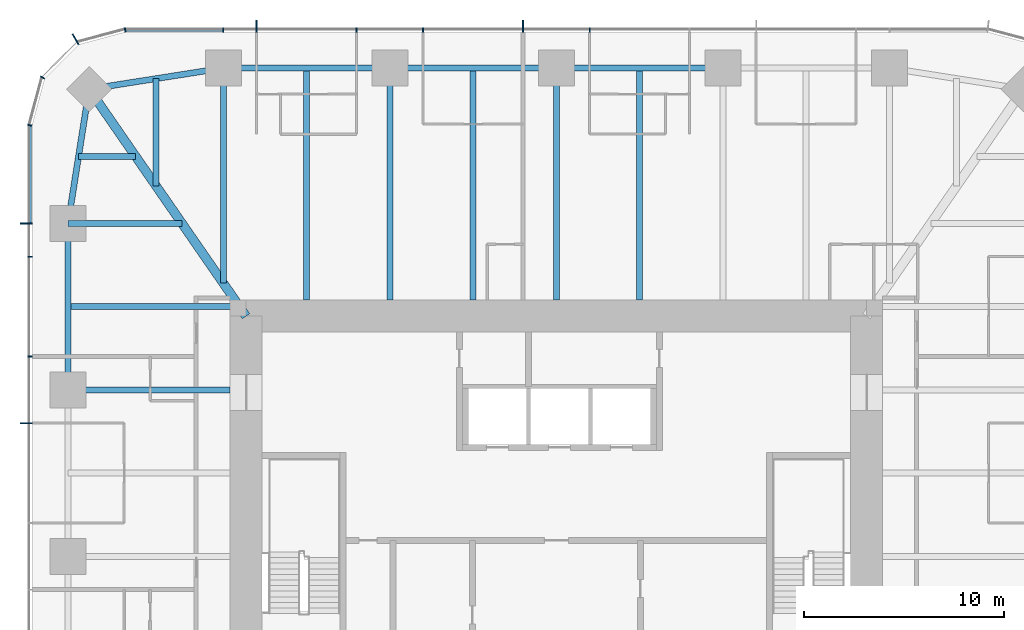
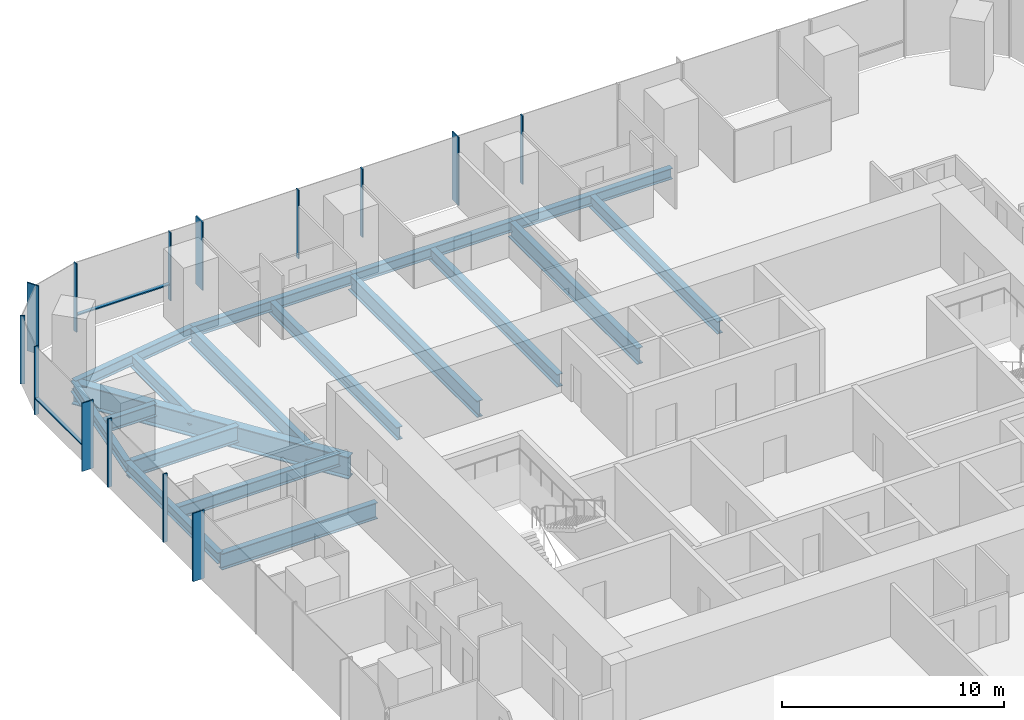
# One storey, part 5 of 12: 18 beams, 16 members, 3 elements without a shape of their own.
"""IFC4 building model written with IfcOpenShell, lengths in metres."""

from ifc_helpers import new_model, si_unit, direction, frame, origin, origin_2d, place, context, subcontext, project, spatial, rectangle, i_section, extrude, material, material_profile, profile_set, type_object, element, aggregate, save


model = new_model("IFC4")

# Units and contexts
model_context = context("Model", 3, precision=1e-05, world=origin(), true_north=direction((0.0, 1.0)))
body_context = subcontext(model_context, "Body", "Model", "MODEL_VIEW")
ifc_project = project(units=[si_unit("LENGTHUNIT", "METRE"), si_unit("AREAUNIT", "SQUARE_METRE"), si_unit("VOLUMEUNIT", "CUBIC_METRE"), si_unit("PLANEANGLEUNIT", "RADIAN"), si_unit("MASSUNIT", "GRAM", prefix="KILO")], contexts=[model_context])

# Site, building, storey
site_placement = place(None, origin())
site = spatial("IfcSite", under=ifc_project, at=site_placement, CompositionType="ELEMENT")
building_placement = place(site_placement, origin())
building = spatial("IfcBuilding", under=site, at=building_placement, Name="Khuree Lantern Residences", CompositionType="ELEMENT")
storey_placement = place(building_placement, frame((0.0, 0.0, 222.0)))
storey = spatial("IfcBuildingStorey", under=building, at=storey_placement, Name="L55", CompositionType="ELEMENT", Elevation=222.0)

# Beams
ifc_material_1 = material(Name="Steel S355", Category="steel")
ifc_material_profile_1 = material_profile(ifc_material_1, i_section(OverallWidth=0.300048828125, OverallDepth=0.68994140625, WebThickness=0.014404296875, FlangeThickness=0.027099609375, FilletRadius=0.027099609375, at=origin_2d()), Name="HE 700 A")
ifc_profile_set_1 = profile_set([ifc_material_profile_1], Name="Steel S355")
beam_type_1 = type_object("IfcBeamType", Name="B-32 SECONDARY BEAM HE 700 A", PredefinedType="BEAM", material=ifc_profile_set_1)
for number, where, z_axis, x_axis, name in (
    (1, (-12.47998046875, 24.39990234375, -0.594970703125), (0.0, -1.0, 0.0), (1.0, 0.0, 0.0), "Secondary beam N1"),
    (2, (-4.159912109375, 24.39990234375, -0.594970703125), (0.0, -1.0, 0.0), (1.0, 0.0, 0.0), "Secondary beam N2"),
    (3, (4.159912109375, 24.39990234375, -0.594970703125), (0.0, -1.0, 0.0), (1.0, 0.0, 0.0), "Secondary beam N3"),
):
    element("IfcBeam", number, at=place(storey_placement, frame(where, z_axis=z_axis, x_axis=x_axis)), inside=storey, type_object=beam_type_1, Name=name, PredefinedType="BEAM", context=body_context, shape_type="SweptSolid", body=[
        extrude(i_section(OverallWidth=0.300048828125, OverallDepth=0.68994140625, WebThickness=0.014404296875, FlangeThickness=0.027099609375, FilletRadius=0.027099609375, at=origin_2d()), origin(), (0.0, 0.0, 1.0), 11.599853515625),
    ])
beam_1_placement = place(storey_placement, frame((-24.39990234375, 12.47998046875, -0.594970703125), z_axis=(1.0, 0.0, 0.0), x_axis=(0.0, 1.0, 0.0)))
element("IfcBeam", 4, at=beam_1_placement, inside=storey, type_object=beam_type_1, Name="Secondary beam W5", PredefinedType="BEAM", context=body_context, shape_type="SweptSolid", body=[
    extrude(i_section(OverallWidth=0.300048828125, OverallDepth=0.68994140625, WebThickness=0.014404296875, FlangeThickness=0.027099609375, FilletRadius=0.027099609375, at=origin_2d()), origin(), (0.0, 0.0, 1.0), 8.56787109375),
])
beam_2_placement = place(storey_placement, frame((-23.872802734375, 19.992919921875, -0.594970703125), z_axis=(1.0, 0.0, 0.0), x_axis=(0.0, 1.0, 0.0)))
element("IfcBeam", 5, at=beam_2_placement, inside=storey, type_object=beam_type_1, Name="Secondary beam W6", PredefinedType="BEAM", context=body_context, shape_type="SweptSolid", body=[
    extrude(i_section(OverallWidth=0.300048828125, OverallDepth=0.68994140625, WebThickness=0.014404296875, FlangeThickness=0.027099609375, FilletRadius=0.027099609375, at=origin_2d()), origin(), (0.0, 0.0, 1.0), 2.845703125),
])
beam_3_placement = place(storey_placement, frame((-19.992919921875, 23.872802734375, -0.594970703125), z_axis=(0.0, -1.0, 0.0), x_axis=(1.0, 0.0, 0.0)))
element("IfcBeam", 6, at=beam_3_placement, inside=storey, type_object=beam_type_1, Name="Secondary beam N6", PredefinedType="BEAM", context=body_context, shape_type="SweptSolid", body=[
    extrude(i_section(OverallWidth=0.300048828125, OverallDepth=0.68994140625, WebThickness=0.014404296875, FlangeThickness=0.027099609375, FilletRadius=0.027099609375, at=origin_2d()), origin(), (0.0, 0.0, 1.0), 5.375732421875),
])
ifc_material_profile_2 = material_profile(ifc_material_1, i_section(OverallWidth=0.300048828125, OverallDepth=0.590087890625, WebThickness=0.012939453125, FlangeThickness=0.02490234375, FilletRadius=0.027099609375, at=origin_2d()), Name="HE 600 A")
ifc_profile_set_2 = profile_set([ifc_material_profile_2], Name="Steel S355")
beam_type_2 = type_object("IfcBeamType", Name="E-32 SPANDREL BEAM HE 600 A", PredefinedType="SPANDREL", material=ifc_profile_set_2)
beam_4_placement = place(storey_placement, frame((-16.639892578125, 24.39990234375, -0.544921875), z_axis=(1.0, 0.0, 0.0), x_axis=(0.0, 1.0, 0.0)))
element("IfcBeam", 7, at=beam_4_placement, inside=storey, type_object=beam_type_2, Name="Spandrel beam N1", PredefinedType="SPANDREL", context=body_context, shape_type="SweptSolid", body=[
    extrude(i_section(OverallWidth=0.300048828125, OverallDepth=0.590087890625, WebThickness=0.012939453125, FlangeThickness=0.02490234375, FilletRadius=0.027099609375, at=origin_2d()), origin(), (0.0, 0.0, 1.0), 8.31982421875),
])
for number, where, z_axis, x_axis, name in (
    (8, (-8.320068359375, 24.39990234375, -0.544921875), (1.0, 0.0, 0.0), (0.0, 1.0, 0.0), "Spandrel beam N2"),
    (9, (0.0, 24.39990234375, -0.544921875), (1.0, 0.0, 0.0), (0.0, 1.0, 0.0), "Spandrel beam N3"),
):
    element("IfcBeam", number, at=place(storey_placement, frame(where, z_axis=z_axis, x_axis=x_axis)), inside=storey, type_object=beam_type_2, Name=name, PredefinedType="SPANDREL", context=body_context, shape_type="SweptSolid", body=[
        extrude(i_section(OverallWidth=0.300048828125, OverallDepth=0.590087890625, WebThickness=0.012939453125, FlangeThickness=0.02490234375, FilletRadius=0.027099609375, at=origin_2d()), origin(), (0.0, 0.0, 1.0), 8.320068359375),
    ])
beam_5_placement = place(storey_placement, frame((-24.39990234375, 8.320068359375, -0.544921875), z_axis=(0.0, 1.0, 0.0), x_axis=(-1.0, 0.0, 0.0)))
element("IfcBeam", 10, at=beam_5_placement, inside=storey, type_object=beam_type_2, Name="Spandrel beam W5", PredefinedType="SPANDREL", context=body_context, shape_type="SweptSolid", body=[
    extrude(i_section(OverallWidth=0.300048828125, OverallDepth=0.590087890625, WebThickness=0.012939453125, FlangeThickness=0.02490234375, FilletRadius=0.027099609375, at=origin_2d()), origin(), (0.0, 0.0, 1.0), 8.31982421875),
])
for number, where, z_axis, x_axis, name in (
    (11, (-24.39990234375, 16.639892578125, -0.544921875), (0.155299507442, 0.98786743189, 0.0), (-0.98786743189, 0.155299507442, 0.0), "Spandrel beam W6"),
    (12, (-23.345703125, 23.345703125, -0.544921875), (0.98786743189, 0.155299507442, 0.0), (-0.155299507442, 0.98786743189, 0.0), "Spandrel beam N6"),
):
    element("IfcBeam", number, at=place(storey_placement, frame(where, z_axis=z_axis, x_axis=x_axis)), inside=storey, type_object=beam_type_2, Name=name, PredefinedType="SPANDREL", context=body_context, shape_type="SweptSolid", body=[
        extrude(i_section(OverallWidth=0.300048828125, OverallDepth=0.590087890625, WebThickness=0.012939453125, FlangeThickness=0.02490234375, FilletRadius=0.027099609375, at=origin_2d()), origin(), (0.0, 0.0, 1.0), 6.7880859375),
    ])

# Curtain wall, members
ifc_material_2 = material(Name="Bronze anodised aluminium", Category="aluminium")
curtain_wall_type_1 = type_object("IfcCurtainWallType", Name="CW-T1 TOWER FACE CURTAIN WALL", PredefinedType="USERDEFINED", material=ifc_material_2)
curtain_wall_1_placement = place(storey_placement, origin())
curtain_wall_1 = element("IfcCurtainWall", 13, at=curtain_wall_1_placement, inside=storey, type_object=curtain_wall_type_1, Name="L55 NORTH FACE CURTAIN WALL", ObjectType="Stick-built curtain wall", PredefinedType="USERDEFINED")
ifc_material_profile_3 = material_profile(ifc_material_2, rectangle(XDim=0.06494140625, YDim=0.60009765625, at=origin_2d()), Name="F1 65X600")
ifc_profile_set_3 = profile_set([ifc_material_profile_3], Name="Bronze anodised aluminium")
member_type_1 = type_object("IfcMemberType", Name="F1 BRONZE FIN MULLION TOWER 65X600", PredefinedType="MULLION", material=ifc_profile_set_3)
member_1_placement = place(storey_placement, frame((-1.6640625, 26.5, 0.0), z_axis=(0.0, 0.0, 1.0), x_axis=(-1.0, 0.0, 0.0)))
member_1 = element("IfcMember", 14, at=member_1_placement, type_object=member_type_1, Name="L55 NORTH FACE FIN MULLION 24", PredefinedType="MULLION", context=body_context, shape_type="SweptSolid", body=[
    extrude(rectangle(XDim=0.06494140625, YDim=0.60009765625, at=origin_2d()), origin(), (0.0, 0.0, 1.0), 3.75),
])
member_2_placement = place(storey_placement, frame((-14.97607421875, 26.5, 0.0), z_axis=(0.0, 0.0, 1.0), x_axis=(-1.0, 0.0, 0.0)))
member_2 = element("IfcMember", 15, at=member_2_placement, type_object=member_type_1, Name="L55 NORTH FACE FIN MULLION 27", PredefinedType="MULLION", context=body_context, shape_type="SweptSolid", body=[
    extrude(rectangle(XDim=0.06494140625, YDim=0.60009765625, at=origin_2d()), origin(), (0.0, 0.0, 1.0), 3.75),
])

# Curtain wall, member
curtain_wall_type_2 = type_object("IfcCurtainWallType", Name="CW-T2 TOWER CORNER CURTAIN WALL", PredefinedType="USERDEFINED", material=ifc_material_2)
curtain_wall_2_placement = place(storey_placement, origin())
curtain_wall_2 = element("IfcCurtainWall", 16, at=curtain_wall_2_placement, inside=storey, type_object=curtain_wall_type_2, Name="L55 NORTH-WEST CORNER CURTAIN WALL", ObjectType="Faceted corner curtain wall", PredefinedType="USERDEFINED")
member_3_placement = place(storey_placement, frame((-24.02490234375, 25.8369140625, 0.0), z_axis=(0.0, 0.0, 1.0), x_axis=(-0.866025409797, -0.499999989586, 0.0)))
member_3 = element("IfcMember", 17, at=member_3_placement, type_object=member_type_1, Name="L55 NORTH-WEST CORNER FIN MULLION 30", PredefinedType="MULLION", context=body_context, shape_type="SweptSolid", body=[
    extrude(rectangle(XDim=0.06494140625, YDim=0.60009765625, at=origin_2d()), origin(), (0.0, 0.0, 1.0), 3.75),
])

# Curtain wall, members
curtain_wall_3_placement = place(storey_placement, origin())
curtain_wall_3 = element("IfcCurtainWall", 18, at=curtain_wall_3_placement, inside=storey, type_object=curtain_wall_type_1, Name="L55 WEST FACE CURTAIN WALL", ObjectType="Stick-built curtain wall", PredefinedType="USERDEFINED")
member_4_placement = place(storey_placement, frame((-26.5, 16.639892578125, 0.0), z_axis=(0.0, 0.0, 1.0), x_axis=(0.0, -1.0, 0.0)))
member_4 = element("IfcMember", 19, at=member_4_placement, type_object=member_type_1, Name="L55 WEST FACE FIN MULLION 33", PredefinedType="MULLION", context=body_context, shape_type="SweptSolid", body=[
    extrude(rectangle(XDim=0.06494140625, YDim=0.60009765625, at=origin_2d()), origin(), (0.0, 0.0, 1.0), 3.75),
])
member_5_placement = place(storey_placement, frame((-26.5, 6.656005859375, 0.0), z_axis=(0.0, 0.0, 1.0), x_axis=(0.0, -1.0, 0.0)))
member_5 = element("IfcMember", 20, at=member_5_placement, type_object=member_type_1, Name="L55 WEST FACE FIN MULLION 36", PredefinedType="MULLION", context=body_context, shape_type="SweptSolid", body=[
    extrude(rectangle(XDim=0.06494140625, YDim=0.60009765625, at=origin_2d()), origin(), (0.0, 0.0, 1.0), 3.75),
])

# Beams
ifc_material_profile_4 = material_profile(ifc_material_1, i_section(OverallWidth=0.300048828125, OverallDepth=0.89990234375, WebThickness=0.0185546875, FlangeThickness=0.034912109375, FilletRadius=0.030029296875, at=origin_2d()), Name="HE 900 B")
ifc_profile_set_4 = profile_set([ifc_material_profile_4], Name="Steel S355")
beam_type_3 = type_object("IfcBeamType", Name="G-32 GIRDER HE 900 B", PredefinedType="BEAM", material=ifc_profile_set_4)
beam_6_placement = place(storey_placement, frame((-16.639892578125, 24.39990234375, -0.699951171875), z_axis=(0.0, -1.0, 0.0), x_axis=(1.0, 0.0, 0.0)))
element("IfcBeam", 21, at=beam_6_placement, inside=storey, type_object=beam_type_3, Name="Girder N1", PredefinedType="BEAM", context=body_context, shape_type="SweptSolid", body=[
    extrude(i_section(OverallWidth=0.300048828125, OverallDepth=0.89990234375, WebThickness=0.0185546875, FlangeThickness=0.034912109375, FilletRadius=0.030029296875, at=origin_2d()), origin(), (0.0, 0.0, 1.0), 10.751220703125),
])
for number, where, z_axis, x_axis, name in (
    (22, (-8.320068359375, 24.39990234375, -0.699951171875), (0.0, -1.0, 0.0), (1.0, 0.0, 0.0), "Girder N2"),
    (23, (0.0, 24.39990234375, -0.699951171875), (0.0, -1.0, 0.0), (1.0, 0.0, 0.0), "Girder N3"),
):
    element("IfcBeam", number, at=place(storey_placement, frame(where, z_axis=z_axis, x_axis=x_axis)), inside=storey, type_object=beam_type_3, Name=name, PredefinedType="BEAM", context=body_context, shape_type="SweptSolid", body=[
        extrude(i_section(OverallWidth=0.300048828125, OverallDepth=0.89990234375, WebThickness=0.0185546875, FlangeThickness=0.034912109375, FilletRadius=0.030029296875, at=origin_2d()), origin(), (0.0, 0.0, 1.0), 11.599853515625),
    ])
beam_7_placement = place(storey_placement, frame((-24.39990234375, 8.320068359375, -0.699951171875), z_axis=(1.0, 0.0, 0.0), x_axis=(0.0, 1.0, 0.0)))
element("IfcBeam", 24, at=beam_7_placement, inside=storey, type_object=beam_type_3, Name="Girder W4", PredefinedType="BEAM", context=body_context, shape_type="SweptSolid", body=[
    extrude(i_section(OverallWidth=0.300048828125, OverallDepth=0.89990234375, WebThickness=0.0185546875, FlangeThickness=0.034912109375, FilletRadius=0.030029296875, at=origin_2d()), origin(), (0.0, 0.0, 1.0), 8.099853515625),
])
beam_8_placement = place(storey_placement, frame((-24.39990234375, 16.639892578125, -0.699951171875), z_axis=(1.0, 0.0, 0.0), x_axis=(0.0, 1.0, 0.0)))
element("IfcBeam", 25, at=beam_8_placement, inside=storey, type_object=beam_type_3, Name="Girder W5", PredefinedType="BEAM", context=body_context, shape_type="SweptSolid", body=[
    extrude(i_section(OverallWidth=0.300048828125, OverallDepth=0.89990234375, WebThickness=0.0185546875, FlangeThickness=0.034912109375, FilletRadius=0.030029296875, at=origin_2d()), origin(), (0.0, 0.0, 1.0), 5.69140625),
])
ifc_material_profile_5 = material_profile(ifc_material_1, i_section(OverallWidth=0.449951171875, OverallDepth=1.199951171875, WebThickness=0.02490234375, FlangeThickness=0.044921875, at=origin_2d()), Name="WELDED I 1200X450X25X45")
ifc_profile_set_5 = profile_set([ifc_material_profile_5], Name="Steel S355")
beam_type_4 = type_object("IfcBeamType", Name="GD-32 CORNER GIRDER WELDED I 1200X450X25X45", PredefinedType="BEAM", material=ifc_profile_set_5)
beam_9_placement = place(storey_placement, frame((-23.345703125, 23.345703125, -0.85009765625), z_axis=(0.56876813501, -0.822497907959, 0.0), x_axis=(0.822497907959, 0.56876813501, 0.0)))
element("IfcBeam", 26, at=beam_9_placement, inside=storey, type_object=beam_type_4, Name="Corner girder NW", PredefinedType="BEAM", context=body_context, shape_type="SweptSolid", body=[
    extrude(i_section(OverallWidth=0.449951171875, OverallDepth=1.199951171875, WebThickness=0.02490234375, FlangeThickness=0.044921875, at=origin_2d()), origin(), (0.0, 0.0, 1.0), 13.794189453125),
])

# Member
ifc_material_profile_6 = material_profile(ifc_material_2, rectangle(XDim=0.06494140625, YDim=0.219970703125, at=origin_2d()), Name="M1 65X220")
ifc_profile_set_6 = profile_set([ifc_material_profile_6], Name="Bronze anodised aluminium")
member_type_2 = type_object("IfcMemberType", Name="M1 BRONZE MULLION TOWER 65X220", PredefinedType="MULLION", material=ifc_profile_set_6)
member_6_placement = place(storey_placement, frame((1.6640625, 26.31005859375, 0.0), z_axis=(0.0, 0.0, 1.0), x_axis=(-1.0, 0.0, 0.0)))
member_6 = element("IfcMember", 27, at=member_6_placement, type_object=member_type_2, Name="L55 NORTH FACE MULLION 23", PredefinedType="MULLION", context=body_context, shape_type="SweptSolid", body=[
    extrude(rectangle(XDim=0.06494140625, YDim=0.219970703125, at=origin_2d()), origin(), (0.0, 0.0, 1.0), 3.75),
])

member_7_placement = place(storey_placement, frame((-6.656005859375, 26.31005859375, 0.0), z_axis=(0.0, 0.0, 1.0), x_axis=(-1.0, 0.0, 0.0)))
member_7 = element("IfcMember", 28, at=member_7_placement, type_object=member_type_2, Name="L55 NORTH FACE MULLION 25", PredefinedType="MULLION", context=body_context, shape_type="SweptSolid", body=[
    extrude(rectangle(XDim=0.06494140625, YDim=0.219970703125, at=origin_2d()), origin(), (0.0, 0.0, 1.0), 3.75),
])

member_8_placement = place(storey_placement, frame((-9.98388671875, 26.31005859375, 0.0), z_axis=(0.0, 0.0, 1.0), x_axis=(-1.0, 0.0, 0.0)))
member_8 = element("IfcMember", 29, at=member_8_placement, type_object=member_type_2, Name="L55 NORTH FACE MULLION 26", PredefinedType="MULLION", context=body_context, shape_type="SweptSolid", body=[
    extrude(rectangle(XDim=0.06494140625, YDim=0.219970703125, at=origin_2d()), origin(), (0.0, 0.0, 1.0), 3.75),
])

member_9_placement = place(storey_placement, frame((-16.639892578125, 26.31005859375, 0.0), z_axis=(0.0, 0.0, 1.0), x_axis=(-1.0, 0.0, 0.0)))
member_9 = element("IfcMember", 30, at=member_9_placement, type_object=member_type_2, Name="L55 NORTH FACE MULLION 28", PredefinedType="MULLION", context=body_context, shape_type="SweptSolid", body=[
    extrude(rectangle(XDim=0.06494140625, YDim=0.219970703125, at=origin_2d()), origin(), (0.0, 0.0, 1.0), 3.75),
])

member_10_placement = place(storey_placement, frame((-21.544921875, 26.311767578125, 0.0), z_axis=(0.0, 0.0, 1.0), x_axis=(-0.991444862943, -0.130526180298, 0.0)))
member_10 = element("IfcMember", 31, at=member_10_placement, type_object=member_type_2, Name="L55 NORTH-WEST CORNER MULLION 29", PredefinedType="MULLION", context=body_context, shape_type="SweptSolid", body=[
    extrude(rectangle(XDim=0.06494140625, YDim=0.219970703125, at=origin_2d()), origin(), (0.0, 0.0, 1.0), 3.75),
])

member_11_placement = place(storey_placement, frame((-25.67236328125, 23.929931640625, 0.0), z_axis=(0.0, 0.0, 1.0), x_axis=(-0.499999989586, -0.866025409797, 0.0)))
member_11 = element("IfcMember", 32, at=member_11_placement, type_object=member_type_2, Name="L55 NORTH-WEST CORNER MULLION 31", PredefinedType="MULLION", context=body_context, shape_type="SweptSolid", body=[
    extrude(rectangle(XDim=0.06494140625, YDim=0.219970703125, at=origin_2d()), origin(), (0.0, 0.0, 1.0), 3.75),
])

aggregate(curtain_wall_2, [member_10, member_3, member_11])

member_12_placement = place(storey_placement, frame((-26.311767578125, 21.544921875, 0.0), z_axis=(0.0, 0.0, 1.0), x_axis=(-0.130526180298, -0.991444862943, 0.0)))
member_12 = element("IfcMember", 33, at=member_12_placement, type_object=member_type_2, Name="L55 WEST FACE MULLION 32", PredefinedType="MULLION", context=body_context, shape_type="SweptSolid", body=[
    extrude(rectangle(XDim=0.06494140625, YDim=0.219970703125, at=origin_2d()), origin(), (0.0, 0.0, 1.0), 3.75),
])

member_13_placement = place(storey_placement, frame((-26.31005859375, 14.97607421875, 0.0), z_axis=(0.0, 0.0, 1.0), x_axis=(0.0, -1.0, 0.0)))
member_13 = element("IfcMember", 34, at=member_13_placement, type_object=member_type_2, Name="L55 WEST FACE MULLION 34", PredefinedType="MULLION", context=body_context, shape_type="SweptSolid", body=[
    extrude(rectangle(XDim=0.06494140625, YDim=0.219970703125, at=origin_2d()), origin(), (0.0, 0.0, 1.0), 3.75),
])

member_14_placement = place(storey_placement, frame((-26.31005859375, 9.98388671875, 0.0), z_axis=(0.0, 0.0, 1.0), x_axis=(0.0, -1.0, 0.0)))
member_14 = element("IfcMember", 35, at=member_14_placement, type_object=member_type_2, Name="L55 WEST FACE MULLION 35", PredefinedType="MULLION", context=body_context, shape_type="SweptSolid", body=[
    extrude(rectangle(XDim=0.06494140625, YDim=0.219970703125, at=origin_2d()), origin(), (0.0, 0.0, 1.0), 3.75),
])

ifc_material_profile_7 = material_profile(ifc_material_2, rectangle(XDim=0.179931640625, YDim=0.06494140625, at=origin_2d()), Name="T1 180X65")
ifc_profile_set_7 = profile_set([ifc_material_profile_7], Name="Bronze anodised aluminium")
member_type_3 = type_object("IfcMemberType", Name="TRANSOM T1 TOWER 180X65", PredefinedType="USERDEFINED", material=ifc_profile_set_7)
member_15_placement = place(storey_placement, frame((-16.672607421875, 26.320068359375, 0.89990234375), z_axis=(-1.0, 0.0, 0.0), x_axis=(0.0, -1.0, 0.0)))
member_15 = element("IfcMember", 36, at=member_15_placement, type_object=member_type_3, Name="L55 NORTH FACE TRANSOM 28.1", ObjectType="Transom", PredefinedType="USERDEFINED", context=body_context, shape_type="SweptSolid", body=[
    extrude(rectangle(XDim=0.179931640625, YDim=0.06494140625, at=origin_2d()), origin(), (0.0, 0.0, 1.0), 4.828857421875),
])

aggregate(curtain_wall_1, [member_6, member_1, member_7, member_8, member_2, member_9, member_15])

member_16_placement = place(storey_placement, frame((-26.320068359375, 21.50146484375, 0.89990234375), z_axis=(0.0, -1.0, 0.0), x_axis=(1.0, 0.0, 0.0)))
member_16 = element("IfcMember", 37, at=member_16_placement, type_object=member_type_3, Name="L55 WEST FACE TRANSOM 32.1", ObjectType="Transom", PredefinedType="USERDEFINED", context=body_context, shape_type="SweptSolid", body=[
    extrude(rectangle(XDim=0.179931640625, YDim=0.06494140625, at=origin_2d()), origin(), (0.0, 0.0, 1.0), 4.828857421875),
])

aggregate(curtain_wall_3, [member_12, member_4, member_13, member_14, member_5, member_16])

save(model, "model.ifc")
